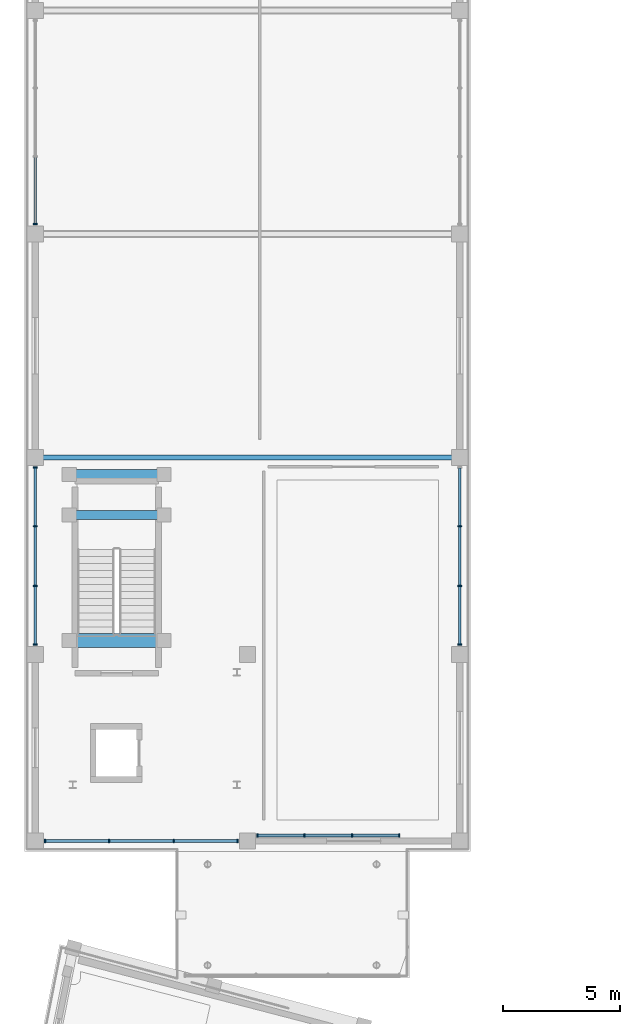
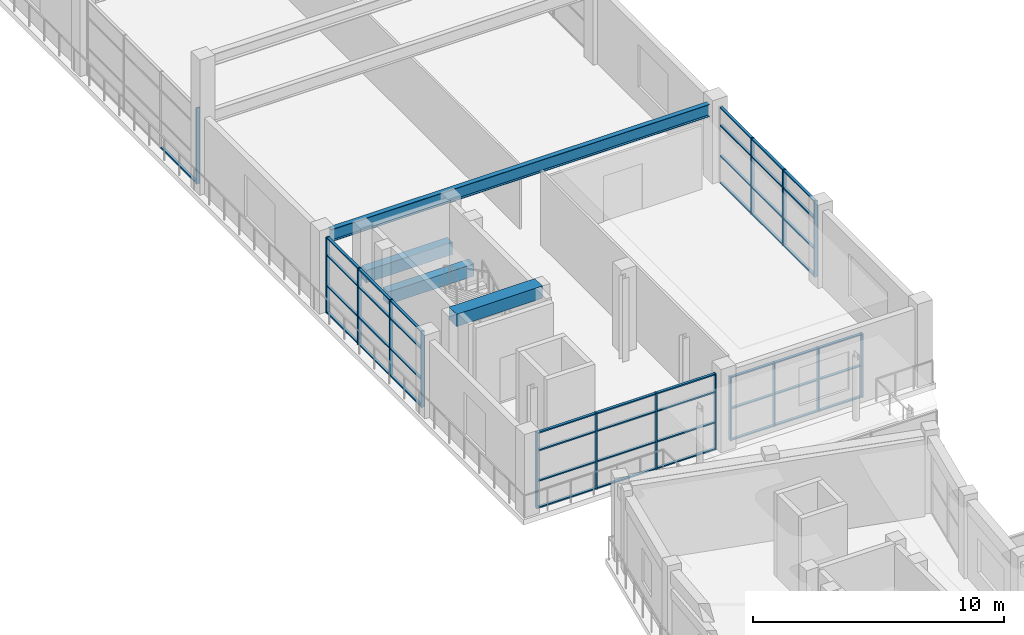
# One storey, part 29 of 72: 62 members, 4 beams, 5 elements without a shape of their own.
"""IFC4 building model written with IfcOpenShell, lengths in metres."""

import ifcopenshell
import ifcopenshell.guid

model = None  # the IFC model being written
_history = None  # IfcOwnerHistory: only IFC2X3 demands one
_inside = {}  # id of a spatial element -> (the spatial element, [elements in it])
_under = {}  # id of a project, library or spatial element -> (it, [spatial elements below it])
_declared = {}  # id of a project -> (the project, [libraries it declares])
_typed = {}  # id of a type object -> (the type object, [elements of that type])
_made_of = {}  # id of a material, layer set ... -> (it, [elements and type objects made of it])


def new_model(schema):
    """Start an empty IFC model of exactly this schema.

    Asked for "IFC4X3", IfcOpenShell would pick the latest addendum, in which some entities
    have other attributes; the version numbers below select the first issue.
    IFC2X3 requires an IfcOwnerHistory on every rooted entity: one is made here for all.
    """
    global model, _history
    if schema == "IFC4X3":
        model = ifcopenshell.file(schema_version=(4, 3, 0, 0))
    else:
        model = ifcopenshell.file(schema=schema)
    _inside.clear()
    _under.clear()
    _declared.clear()
    _typed.clear()
    _made_of.clear()
    _history = None
    if model.schema == "IFC2X3":
        org = make("IfcOrganization", Name="unknown")
        user = make(
            "IfcPersonAndOrganization",
            ThePerson=make("IfcPerson", FamilyName="unknown"),
            TheOrganization=org,
        )
        app = make(
            "IfcApplication",
            ApplicationDeveloper=org,
            Version="unknown",
            ApplicationFullName="unknown",
            ApplicationIdentifier="unknown",
        )
        _history = make(
            "IfcOwnerHistory",
            OwningUser=user,
            OwningApplication=app,
            ChangeAction="ADDED",
            CreationDate=0,
        )
    return model


def make(cls, **values):
    """One entity of the class cls with the attributes given. An attribute that is None is left unset."""
    return model.create_entity(
        cls, **{name: value for name, value in values.items() if value is not None}
    )


def rooted(cls, **values):
    """An entity with a GlobalId (a new one), such as an element, a storey or a relation."""
    return make(cls, GlobalId=ifcopenshell.guid.new(), OwnerHistory=_history, **values)


def si_unit(unit_type, name, prefix=None):
    """IfcSIUnit, for example si_unit("LENGTHUNIT", "METRE", prefix="MILLI")."""
    return make("IfcSIUnit", UnitType=unit_type, Prefix=prefix, Name=name)


def assignment(units):
    """IfcUnitAssignment: the units of a project."""
    return None if units is None else make("IfcUnitAssignment", Units=units)


def point(xyz):
    """IfcCartesianPoint."""
    return None if xyz is None else make("IfcCartesianPoint", Coordinates=xyz)


def direction(xyz):
    """IfcDirection."""
    return None if xyz is None else make("IfcDirection", DirectionRatios=xyz)


def frame(location, z_axis=None, x_axis=None):
    """IfcAxis2Placement3D, a coordinate frame: its origin and axes. An axis left out is left unset."""
    return make(
        "IfcAxis2Placement3D",
        Location=point(location),
        Axis=direction(z_axis),
        RefDirection=direction(x_axis),
    )


def frame_2d(location, x_axis=None):
    """IfcAxis2Placement2D, a coordinate frame in the plane: its origin and x axis."""
    return make(
        "IfcAxis2Placement2D", Location=point(location), RefDirection=direction(x_axis)
    )


def origin():
    """The frame at (0, 0, 0) with its axes left unset."""
    return frame((0.0, 0.0, 0.0))


def origin_2d():
    """The frame at (0, 0) in the plane with its x axis left unset."""
    return frame_2d((0.0, 0.0))


def place(relative_to, where):
    """IfcLocalPlacement: puts the frame where relative to a parent placement (None: the world)."""
    return make(
        "IfcLocalPlacement", PlacementRelTo=relative_to, RelativePlacement=where
    )


def context(
    kind, dimensions, precision=None, world=None, true_north=None, identifier=None
):
    """IfcGeometricRepresentationContext, for example the 3D "Model" context."""
    return make(
        "IfcGeometricRepresentationContext",
        ContextIdentifier=identifier,
        ContextType=kind,
        CoordinateSpaceDimension=dimensions,
        Precision=precision,
        WorldCoordinateSystem=world,
        TrueNorth=true_north,
    )


def subcontext(parent, identifier, kind, view, scale=None):
    """IfcGeometricRepresentationSubContext, for example "Body" below "Model"."""
    return make(
        "IfcGeometricRepresentationSubContext",
        ContextIdentifier=identifier,
        ContextType=kind,
        ParentContext=parent,
        TargetScale=scale,
        TargetView=view,
    )


def project(units=None, contexts=None):
    """IfcProject with its units and contexts."""
    return rooted(
        "IfcProject",
        Name="project",
        RepresentationContexts=contexts,
        UnitsInContext=assignment(units),
    )


def spatial(cls, under=None, at=None, **own):
    """A site, building, storey or space (cls), placed at a placement, below another one or the project."""
    s = rooted(cls, ObjectPlacement=at, **own)
    if under is not None:
        _under.setdefault(under.id(), (under, []))[1].append(s)
    return s


def profile(cls, at=None, kind="AREA", **sizes):
    """A parametric profile (cls). Its sizes go by their IFC names, for example OverallWidth=200.0."""
    return make(cls, ProfileType=kind, Position=at, **sizes)


def rectangle(**sizes):
    """IfcRectangleProfileDef."""
    return profile("IfcRectangleProfileDef", **sizes)


def i_section(**sizes):
    """IfcIShapeProfileDef."""
    return profile("IfcIShapeProfileDef", **sizes)


def extrude(swept, where, along, depth):
    """IfcExtrudedAreaSolid: the profile swept, set in the frame where, extruded along a direction by depth."""
    return make(
        "IfcExtrudedAreaSolid",
        SweptArea=swept,
        Position=where,
        ExtrudedDirection=direction(along),
        Depth=depth,
    )


def shape(context_of_items, identifier, shape_type, items):
    """IfcShapeRepresentation: the items that make up one representation, for example the "Body"."""
    return make(
        "IfcShapeRepresentation",
        ContextOfItems=context_of_items,
        RepresentationIdentifier=identifier,
        RepresentationType=shape_type,
        Items=items,
    )


def material(Name=None, Category=None):
    """IfcMaterial."""
    return make("IfcMaterial", Name=Name, Category=Category)


def material_profile(
    of_material, cross_section, Name=None, Category=None, Priority=None
):
    """IfcMaterialProfile: a cross section and its material."""
    return make(
        "IfcMaterialProfile",
        Name=Name,
        Material=of_material,
        Profile=cross_section,
        Priority=Priority,
        Category=Category,
    )


def profile_set(profiles, Name=None, composite=None):
    """IfcMaterialProfileSet."""
    return make(
        "IfcMaterialProfileSet",
        Name=Name,
        MaterialProfiles=profiles,
        CompositeProfile=composite,
    )


def made_of(thing, what):
    """Note that an element or type object is made of a material, layer set ...; save() writes the relation."""
    if what is not None:
        _made_of.setdefault(what.id(), (what, []))[1].append(thing)
    return thing


def type_object(cls, material=None, **own):
    """A type object (cls), such as IfcWallType, which elements share."""
    return made_of(rooted(cls, **own), material)


def element(
    cls,
    number,
    at=None,
    inside=None,
    cuts=None,
    type_object=None,
    material=None,
    context=None,
    identifier="Body",
    shape_type=None,
    held_by="IfcProductDefinitionShape",
    body=None,
    shapes=None,
    **own,
):
    """One element of the class cls, such as IfcWall. Its Tag is "e" and its number.

    at: its placement. inside: the storey or other place that contains it. cuts: it is an
    opening in that element (IfcRelVoidsElement). A single representation is given by context,
    identifier, shape_type and body (its items); several are given by shapes. held_by: the class
    of the entity that holds the representations. save() writes the other relations.
    """
    e = rooted(cls, Tag="e%d" % number, ObjectPlacement=at, **own)
    if body is not None:
        shapes = [shape(context, identifier, shape_type, body)]
    if shapes is not None:
        e.Representation = make(held_by, Representations=shapes)
    if inside is not None:
        _inside.setdefault(inside.id(), (inside, []))[1].append(e)
    if cuts is not None:
        rooted(
            "IfcRelVoidsElement", RelatingBuildingElement=cuts, RelatedOpeningElement=e
        )
    if type_object is not None:
        _typed.setdefault(type_object.id(), (type_object, []))[1].append(e)
    return made_of(e, material)


def aggregate(whole, parts):
    """IfcRelAggregates: a whole, such as a stair, and the parts it consists of."""
    return rooted("IfcRelAggregates", RelatingObject=whole, RelatedObjects=parts)


def save(model, path):
    """Write the relations noted so far, then the file.

    IfcRelAggregates (storeys below a building ...), IfcRelContainedInSpatialStructure (elements
    in a storey), IfcRelDefinesByType, IfcRelAssociatesMaterial and IfcRelDeclares: one each for
    every whole, place, type object, material and project.
    """
    for whole, parts in _under.values():
        aggregate(whole, parts)
    for where, things in _inside.values():
        rooted(
            "IfcRelContainedInSpatialStructure",
            RelatedElements=things,
            RelatingStructure=where,
        )
    for kind, things in _typed.values():
        rooted("IfcRelDefinesByType", RelatedObjects=things, RelatingType=kind)
    for what, things in _made_of.values():
        rooted("IfcRelAssociatesMaterial", RelatedObjects=things, RelatingMaterial=what)
    for by, libraries in _declared.values():
        rooted("IfcRelDeclares", RelatingContext=by, RelatedDefinitions=libraries)
    model.write(path)


model = new_model("IFC4")

# Units and contexts
model_context = context("Model", 3, precision=1e-05, world=origin(), true_north=direction((0.0, 1.0)))
body_context = subcontext(model_context, "Body", "Model", "MODEL_VIEW")
ifc_project = project(units=[si_unit("LENGTHUNIT", "METRE"), si_unit("AREAUNIT", "SQUARE_METRE"), si_unit("VOLUMEUNIT", "CUBIC_METRE"), si_unit("PLANEANGLEUNIT", "RADIAN"), si_unit("MASSUNIT", "GRAM", prefix="KILO")], contexts=[model_context])

# Site, building, storey
site_placement = place(None, origin())
site = spatial("IfcSite", under=ifc_project, at=site_placement, CompositionType="ELEMENT")
building_placement = place(site_placement, origin())
building = spatial("IfcBuilding", under=site, at=building_placement, Name="Saryqyr Civic Hall", CompositionType="ELEMENT")
storey_placement = place(building_placement, frame((0.0, 0.0, 17.25)))
storey = spatial("IfcBuildingStorey", under=building, at=storey_placement, Name="L04", CompositionType="ELEMENT", Elevation=17.25)

# Curtain wall, members
ifc_material_1 = material(Name="Anodised aluminium and triple low-E glass", Category="aluminium")
curtain_wall_type_1 = type_object("IfcCurtainWallType", Name="ENV-CW-STD-54", PredefinedType="NOTDEFINED", material=ifc_material_1)
curtain_wall_1_placement = place(storey_placement, origin())
curtain_wall_1 = element("IfcCurtainWall", 1, at=curtain_wall_1_placement, inside=storey, type_object=curtain_wall_type_1, Name="Curtain wall V3-CW-L04-0-1", PredefinedType="NOTDEFINED")
ifc_material_2 = material(Name="Anodised aluminium", Category="aluminium")
ifc_material_profile_1 = material_profile(ifc_material_2, rectangle(XDim=0.06005859375, YDim=0.159912109375, at=origin_2d()), Name="ALU MULLION 60x160")
ifc_profile_set_1 = profile_set([ifc_material_profile_1], Name="Anodised aluminium")
member_type_1 = type_object("IfcMemberType", Name="ENV-CW-MUL-180", PredefinedType="MULLION", material=ifc_profile_set_1)
member_1_placement = place(storey_placement, frame((16.679931640625, 101.25, 0.0), z_axis=(0.0, 0.0, 1.0), x_axis=(-1.0, 0.0, 0.0)))
member_1 = element("IfcMember", 2, at=member_1_placement, type_object=member_type_1, Name="CW-54 mullion 1", PredefinedType="MULLION", context=body_context, shape_type="SweptSolid", body=[
    extrude(rectangle(XDim=0.06005859375, YDim=0.159912109375, at=origin_2d()), origin(), (0.0, 0.0, 1.0), 3.699951171875),
])
member_2_placement = place(storey_placement, frame((13.953369140625, 101.25, 0.0), z_axis=(0.0, 0.0, 1.0), x_axis=(-1.0, 0.0, 0.0)))
member_2 = element("IfcMember", 3, at=member_2_placement, type_object=member_type_1, Name="CW-54 mullion 2", PredefinedType="MULLION", context=body_context, shape_type="SweptSolid", body=[
    extrude(rectangle(XDim=0.06005859375, YDim=0.159912109375, at=origin_2d()), origin(), (0.0, 0.0, 1.0), 3.699951171875),
])
member_3_placement = place(storey_placement, frame((11.19677734375, 101.25, 0.0), z_axis=(0.0, 0.0, 1.0), x_axis=(-1.0, 0.0, 0.0)))
member_3 = element("IfcMember", 4, at=member_3_placement, type_object=member_type_1, Name="CW-54 mullion 3", PredefinedType="MULLION", context=body_context, shape_type="SweptSolid", body=[
    extrude(rectangle(XDim=0.06005859375, YDim=0.159912109375, at=origin_2d()), origin(), (0.0, 0.0, 1.0), 3.699951171875),
])
member_4_placement = place(storey_placement, frame((8.469970703125, 101.25, 0.0), z_axis=(0.0, 0.0, 1.0), x_axis=(-1.0, 0.0, 0.0)))
member_4 = element("IfcMember", 5, at=member_4_placement, type_object=member_type_1, Name="CW-54 mullion 4", PredefinedType="MULLION", context=body_context, shape_type="SweptSolid", body=[
    extrude(rectangle(XDim=0.06005859375, YDim=0.159912109375, at=origin_2d()), origin(), (0.0, 0.0, 1.0), 3.699951171875),
])

curtain_wall_type_2 = type_object("IfcCurtainWallType", Name="ENV-CW-STD-56", PredefinedType="NOTDEFINED", material=ifc_material_1)
curtain_wall_2_placement = place(storey_placement, origin())
curtain_wall_2 = element("IfcCurtainWall", 6, at=curtain_wall_2_placement, inside=storey, type_object=curtain_wall_type_2, Name="Curtain wall V3-CW-L04-1-5", PredefinedType="NOTDEFINED")
member_5_placement = place(storey_placement, frame((26.14990234375, 114.669921875, 0.0), z_axis=(0.0, 0.0, 1.0), x_axis=(0.0, -1.0, 0.0)))
member_5 = element("IfcMember", 7, at=member_5_placement, type_object=member_type_1, Name="CW-56 mullion 2", PredefinedType="MULLION", context=body_context, shape_type="SweptSolid", body=[
    extrude(rectangle(XDim=0.06005859375, YDim=0.159912109375, at=origin_2d()), origin(), (0.0, 0.0, 1.0), 3.699951171875),
])
member_6_placement = place(storey_placement, frame((26.14990234375, 112.1298828125, 0.0), z_axis=(0.0, 0.0, 1.0), x_axis=(0.0, -1.0, 0.0)))
member_6 = element("IfcMember", 8, at=member_6_placement, type_object=member_type_1, Name="CW-56 mullion 3", PredefinedType="MULLION", context=body_context, shape_type="SweptSolid", body=[
    extrude(rectangle(XDim=0.06005859375, YDim=0.159912109375, at=origin_2d()), origin(), (0.0, 0.0, 1.0), 3.699951171875),
])
member_7_placement = place(storey_placement, frame((26.14990234375, 109.6201171875, 0.0), z_axis=(0.0, 0.0, 1.0), x_axis=(0.0, -1.0, 0.0)))
member_7 = element("IfcMember", 9, at=member_7_placement, type_object=member_type_1, Name="CW-56 mullion 4", PredefinedType="MULLION", context=body_context, shape_type="SweptSolid", body=[
    extrude(rectangle(XDim=0.06005859375, YDim=0.159912109375, at=origin_2d()), origin(), (0.0, 0.0, 1.0), 3.699951171875),
])

curtain_wall_3_placement = place(storey_placement, origin())
curtain_wall_3 = element("IfcCurtainWall", 10, at=curtain_wall_3_placement, inside=storey, type_object=curtain_wall_type_2, Name="Curtain wall V3-CW-L04-3-1", PredefinedType="NOTDEFINED")
member_8_placement = place(storey_placement, frame((8.050048828125, 109.6201171875, 0.0), z_axis=(0.0, 0.0, 1.0), x_axis=(0.0, 1.0, 0.0)))
member_8 = element("IfcMember", 11, at=member_8_placement, type_object=member_type_1, Name="CW-56 mullion 1", PredefinedType="MULLION", context=body_context, shape_type="SweptSolid", body=[
    extrude(rectangle(XDim=0.06005859375, YDim=0.159912109375, at=origin_2d()), origin(), (0.0, 0.0, 1.0), 3.699951171875),
])
member_9_placement = place(storey_placement, frame((8.050048828125, 112.1298828125, 0.0), z_axis=(0.0, 0.0, 1.0), x_axis=(0.0, 1.0, 0.0)))
member_9 = element("IfcMember", 12, at=member_9_placement, type_object=member_type_1, Name="CW-56 mullion 2", PredefinedType="MULLION", context=body_context, shape_type="SweptSolid", body=[
    extrude(rectangle(XDim=0.06005859375, YDim=0.159912109375, at=origin_2d()), origin(), (0.0, 0.0, 1.0), 3.699951171875),
])
member_10_placement = place(storey_placement, frame((8.050048828125, 114.669921875, 0.0), z_axis=(0.0, 0.0, 1.0), x_axis=(0.0, 1.0, 0.0)))
member_10 = element("IfcMember", 13, at=member_10_placement, type_object=member_type_1, Name="CW-56 mullion 3", PredefinedType="MULLION", context=body_context, shape_type="SweptSolid", body=[
    extrude(rectangle(XDim=0.06005859375, YDim=0.159912109375, at=origin_2d()), origin(), (0.0, 0.0, 1.0), 3.699951171875),
])
member_11_placement = place(storey_placement, frame((8.050048828125, 117.179931640625, 0.0), z_axis=(0.0, 0.0, 1.0), x_axis=(0.0, 1.0, 0.0)))
member_11 = element("IfcMember", 14, at=member_11_placement, type_object=member_type_1, Name="CW-56 mullion 4", PredefinedType="MULLION", context=body_context, shape_type="SweptSolid", body=[
    extrude(rectangle(XDim=0.06005859375, YDim=0.159912109375, at=origin_2d()), origin(), (0.0, 0.0, 1.0), 3.699951171875),
])

# Curtain wall, member
curtain_wall_type_3 = type_object("IfcCurtainWallType", Name="ENV-CW-STD-55", PredefinedType="NOTDEFINED", material=ifc_material_1)
curtain_wall_4_placement = place(storey_placement, origin())
curtain_wall_4 = element("IfcCurtainWall", 15, at=curtain_wall_4_placement, inside=storey, type_object=curtain_wall_type_3, Name="Curtain wall V3-CW-L04-3-3", PredefinedType="NOTDEFINED")
member_12_placement = place(storey_placement, frame((8.050048828125, 127.550048828125, 0.0), z_axis=(0.0, 0.0, 1.0), x_axis=(0.0, 1.0, 0.0)))
member_12 = element("IfcMember", 16, at=member_12_placement, type_object=member_type_1, Name="CW-55 mullion 1", PredefinedType="MULLION", context=body_context, shape_type="SweptSolid", body=[
    extrude(rectangle(XDim=0.06005859375, YDim=0.159912109375, at=origin_2d()), origin(), (0.0, 0.0, 1.0), 3.699951171875),
])

# Curtain wall, members
curtain_wall_type_4 = type_object("IfcCurtainWallType", Name="ENV-CW-STD-83", PredefinedType="NOTDEFINED", material=ifc_material_1)
curtain_wall_5_placement = place(storey_placement, origin())
curtain_wall_5 = element("IfcCurtainWall", 17, at=curtain_wall_5_placement, inside=storey, type_object=curtain_wall_type_4, Name="Curtain wall BR-NW-CW2-L04", PredefinedType="NOTDEFINED")
member_13_placement = place(storey_placement, frame((17.52001953125, 101.47998046875, 0.0), z_axis=(0.0, 0.0, 1.0), x_axis=(1.0, 0.0, 0.0)))
member_13 = element("IfcMember", 18, at=member_13_placement, type_object=member_type_1, Name="CW-83 mullion 1", PredefinedType="MULLION", context=body_context, shape_type="SweptSolid", body=[
    extrude(rectangle(XDim=0.06005859375, YDim=0.159912109375, at=origin_2d()), origin(), (0.0, 0.0, 1.0), 3.10009765625),
])
member_14_placement = place(storey_placement, frame((19.526611328125, 101.47998046875, 0.0), z_axis=(0.0, 0.0, 1.0), x_axis=(1.0, 0.0, 0.0)))
member_14 = element("IfcMember", 19, at=member_14_placement, type_object=member_type_1, Name="CW-83 mullion 2", PredefinedType="MULLION", context=body_context, shape_type="SweptSolid", body=[
    extrude(rectangle(XDim=0.06005859375, YDim=0.159912109375, at=origin_2d()), origin(), (0.0, 0.0, 1.0), 3.10009765625),
])
member_15_placement = place(storey_placement, frame((21.563232421875, 101.47998046875, 0.0), z_axis=(0.0, 0.0, 1.0), x_axis=(1.0, 0.0, 0.0)))
member_15 = element("IfcMember", 20, at=member_15_placement, type_object=member_type_1, Name="CW-83 mullion 3", PredefinedType="MULLION", context=body_context, shape_type="SweptSolid", body=[
    extrude(rectangle(XDim=0.06005859375, YDim=0.159912109375, at=origin_2d()), origin(), (0.0, 0.0, 1.0), 3.10009765625),
])
member_16_placement = place(storey_placement, frame((23.570068359375, 101.47998046875, 0.0), z_axis=(0.0, 0.0, 1.0), x_axis=(1.0, 0.0, 0.0)))
member_16 = element("IfcMember", 21, at=member_16_placement, type_object=member_type_1, Name="CW-83 mullion 4", PredefinedType="MULLION", context=body_context, shape_type="SweptSolid", body=[
    extrude(rectangle(XDim=0.06005859375, YDim=0.159912109375, at=origin_2d()), origin(), (0.0, 0.0, 1.0), 3.10009765625),
])

# Member
ifc_material_profile_2 = material_profile(ifc_material_2, rectangle(XDim=0.1201171875, YDim=0.06005859375, at=origin_2d()), Name="ALU TRANSOM 120x60")
ifc_profile_set_2 = profile_set([ifc_material_profile_2], Name="Anodised aluminium")
member_type_2 = type_object("IfcMemberType", Name="ENV-CW-TRN-150", PredefinedType="USERDEFINED", material=ifc_profile_set_2)
member_17_placement = place(storey_placement, frame((16.64990234375, 101.25, 0.030029296875), z_axis=(-1.0, 0.0, 0.0), x_axis=(0.0, -1.0, 0.0)))
member_17 = element("IfcMember", 22, at=member_17_placement, type_object=member_type_2, Name="CW-54 transom 1.1", ObjectType="TRANSOM", PredefinedType="USERDEFINED", context=body_context, shape_type="SweptSolid", body=[
    extrude(rectangle(XDim=0.1201171875, YDim=0.06005859375, at=origin_2d()), origin(), (0.0, 0.0, 1.0), 2.66650390625),
])

member_18_placement = place(storey_placement, frame((16.64990234375, 101.25, 1.33203125), z_axis=(-1.0, 0.0, 0.0), x_axis=(0.0, -1.0, 0.0)))
member_18 = element("IfcMember", 23, at=member_18_placement, type_object=member_type_2, Name="CW-54 transom 1.2", ObjectType="TRANSOM", PredefinedType="USERDEFINED", context=body_context, shape_type="SweptSolid", body=[
    extrude(rectangle(XDim=0.1201171875, YDim=0.06005859375, at=origin_2d()), origin(), (0.0, 0.0, 1.0), 2.66650390625),
])

member_19_placement = place(storey_placement, frame((16.64990234375, 101.25, 2.81201171875), z_axis=(-1.0, 0.0, 0.0), x_axis=(0.0, -1.0, 0.0)))
member_19 = element("IfcMember", 24, at=member_19_placement, type_object=member_type_2, Name="CW-54 transom 1.3", ObjectType="TRANSOM", PredefinedType="USERDEFINED", context=body_context, shape_type="SweptSolid", body=[
    extrude(rectangle(XDim=0.1201171875, YDim=0.06005859375, at=origin_2d()), origin(), (0.0, 0.0, 1.0), 2.66650390625),
])

member_20_placement = place(storey_placement, frame((16.64990234375, 101.25, 3.669921875), z_axis=(-1.0, 0.0, 0.0), x_axis=(0.0, -1.0, 0.0)))
member_20 = element("IfcMember", 25, at=member_20_placement, type_object=member_type_2, Name="CW-54 transom 1.4", ObjectType="TRANSOM", PredefinedType="USERDEFINED", context=body_context, shape_type="SweptSolid", body=[
    extrude(rectangle(XDim=0.1201171875, YDim=0.06005859375, at=origin_2d()), origin(), (0.0, 0.0, 1.0), 2.66650390625),
])

member_21_placement = place(storey_placement, frame((13.92333984375, 101.25, 0.030029296875), z_axis=(-1.0, 0.0, 0.0), x_axis=(0.0, -1.0, 0.0)))
member_21 = element("IfcMember", 26, at=member_21_placement, type_object=member_type_2, Name="CW-54 transom 2.1", ObjectType="TRANSOM", PredefinedType="USERDEFINED", context=body_context, shape_type="SweptSolid", body=[
    extrude(rectangle(XDim=0.1201171875, YDim=0.06005859375, at=origin_2d()), origin(), (0.0, 0.0, 1.0), 2.69677734375),
])

member_22_placement = place(storey_placement, frame((13.92333984375, 101.25, 1.33203125), z_axis=(-1.0, 0.0, 0.0), x_axis=(0.0, -1.0, 0.0)))
member_22 = element("IfcMember", 27, at=member_22_placement, type_object=member_type_2, Name="CW-54 transom 2.2", ObjectType="TRANSOM", PredefinedType="USERDEFINED", context=body_context, shape_type="SweptSolid", body=[
    extrude(rectangle(XDim=0.1201171875, YDim=0.06005859375, at=origin_2d()), origin(), (0.0, 0.0, 1.0), 2.69677734375),
])

member_23_placement = place(storey_placement, frame((13.92333984375, 101.25, 2.81201171875), z_axis=(-1.0, 0.0, 0.0), x_axis=(0.0, -1.0, 0.0)))
member_23 = element("IfcMember", 28, at=member_23_placement, type_object=member_type_2, Name="CW-54 transom 2.3", ObjectType="TRANSOM", PredefinedType="USERDEFINED", context=body_context, shape_type="SweptSolid", body=[
    extrude(rectangle(XDim=0.1201171875, YDim=0.06005859375, at=origin_2d()), origin(), (0.0, 0.0, 1.0), 2.69677734375),
])

member_24_placement = place(storey_placement, frame((13.92333984375, 101.25, 3.669921875), z_axis=(-1.0, 0.0, 0.0), x_axis=(0.0, -1.0, 0.0)))
member_24 = element("IfcMember", 29, at=member_24_placement, type_object=member_type_2, Name="CW-54 transom 2.4", ObjectType="TRANSOM", PredefinedType="USERDEFINED", context=body_context, shape_type="SweptSolid", body=[
    extrude(rectangle(XDim=0.1201171875, YDim=0.06005859375, at=origin_2d()), origin(), (0.0, 0.0, 1.0), 2.69677734375),
])

member_25_placement = place(storey_placement, frame((11.166748046875, 101.25, 0.030029296875), z_axis=(-1.0, 0.0, 0.0), x_axis=(0.0, -1.0, 0.0)))
member_25 = element("IfcMember", 30, at=member_25_placement, type_object=member_type_2, Name="CW-54 transom 3.1", ObjectType="TRANSOM", PredefinedType="USERDEFINED", context=body_context, shape_type="SweptSolid", body=[
    extrude(rectangle(XDim=0.1201171875, YDim=0.06005859375, at=origin_2d()), origin(), (0.0, 0.0, 1.0), 2.666748046875),
])

member_26_placement = place(storey_placement, frame((11.166748046875, 101.25, 1.33203125), z_axis=(-1.0, 0.0, 0.0), x_axis=(0.0, -1.0, 0.0)))
member_26 = element("IfcMember", 31, at=member_26_placement, type_object=member_type_2, Name="CW-54 transom 3.2", ObjectType="TRANSOM", PredefinedType="USERDEFINED", context=body_context, shape_type="SweptSolid", body=[
    extrude(rectangle(XDim=0.1201171875, YDim=0.06005859375, at=origin_2d()), origin(), (0.0, 0.0, 1.0), 2.666748046875),
])

member_27_placement = place(storey_placement, frame((11.166748046875, 101.25, 2.81201171875), z_axis=(-1.0, 0.0, 0.0), x_axis=(0.0, -1.0, 0.0)))
member_27 = element("IfcMember", 32, at=member_27_placement, type_object=member_type_2, Name="CW-54 transom 3.3", ObjectType="TRANSOM", PredefinedType="USERDEFINED", context=body_context, shape_type="SweptSolid", body=[
    extrude(rectangle(XDim=0.1201171875, YDim=0.06005859375, at=origin_2d()), origin(), (0.0, 0.0, 1.0), 2.666748046875),
])

member_28_placement = place(storey_placement, frame((11.166748046875, 101.25, 3.669921875), z_axis=(-1.0, 0.0, 0.0), x_axis=(0.0, -1.0, 0.0)))
member_28 = element("IfcMember", 33, at=member_28_placement, type_object=member_type_2, Name="CW-54 transom 3.4", ObjectType="TRANSOM", PredefinedType="USERDEFINED", context=body_context, shape_type="SweptSolid", body=[
    extrude(rectangle(XDim=0.1201171875, YDim=0.06005859375, at=origin_2d()), origin(), (0.0, 0.0, 1.0), 2.666748046875),
])

aggregate(curtain_wall_1, [member_1, member_2, member_3, member_4, member_17, member_18, member_19, member_20, member_21, member_22, member_23, member_24, member_25, member_26, member_27, member_28])

member_29_placement = place(storey_placement, frame((26.14990234375, 117.14990234375, 0.030029296875), z_axis=(0.0, -1.0, 0.0), x_axis=(1.0, 0.0, 0.0)))
member_29 = element("IfcMember", 34, at=member_29_placement, type_object=member_type_2, Name="CW-56 transom 1.1", ObjectType="TRANSOM", PredefinedType="USERDEFINED", context=body_context, shape_type="SweptSolid", body=[
    extrude(rectangle(XDim=0.1201171875, YDim=0.06005859375, at=origin_2d()), origin(), (0.0, 0.0, 1.0), 2.449951171875),
])

member_30_placement = place(storey_placement, frame((26.14990234375, 117.14990234375, 1.33203125), z_axis=(0.0, -1.0, 0.0), x_axis=(1.0, 0.0, 0.0)))
member_30 = element("IfcMember", 35, at=member_30_placement, type_object=member_type_2, Name="CW-56 transom 1.2", ObjectType="TRANSOM", PredefinedType="USERDEFINED", context=body_context, shape_type="SweptSolid", body=[
    extrude(rectangle(XDim=0.1201171875, YDim=0.06005859375, at=origin_2d()), origin(), (0.0, 0.0, 1.0), 2.449951171875),
])

member_31_placement = place(storey_placement, frame((26.14990234375, 117.14990234375, 2.81201171875), z_axis=(0.0, -1.0, 0.0), x_axis=(1.0, 0.0, 0.0)))
member_31 = element("IfcMember", 36, at=member_31_placement, type_object=member_type_2, Name="CW-56 transom 1.3", ObjectType="TRANSOM", PredefinedType="USERDEFINED", context=body_context, shape_type="SweptSolid", body=[
    extrude(rectangle(XDim=0.1201171875, YDim=0.06005859375, at=origin_2d()), origin(), (0.0, 0.0, 1.0), 2.449951171875),
])

member_32_placement = place(storey_placement, frame((26.14990234375, 117.14990234375, 3.669921875), z_axis=(0.0, -1.0, 0.0), x_axis=(1.0, 0.0, 0.0)))
member_32 = element("IfcMember", 37, at=member_32_placement, type_object=member_type_2, Name="CW-56 transom 1.4", ObjectType="TRANSOM", PredefinedType="USERDEFINED", context=body_context, shape_type="SweptSolid", body=[
    extrude(rectangle(XDim=0.1201171875, YDim=0.06005859375, at=origin_2d()), origin(), (0.0, 0.0, 1.0), 2.449951171875),
])

member_33_placement = place(storey_placement, frame((26.14990234375, 114.639892578125, 0.030029296875), z_axis=(0.0, -1.0, 0.0), x_axis=(1.0, 0.0, 0.0)))
member_33 = element("IfcMember", 38, at=member_33_placement, type_object=member_type_2, Name="CW-56 transom 2.1", ObjectType="TRANSOM", PredefinedType="USERDEFINED", context=body_context, shape_type="SweptSolid", body=[
    extrude(rectangle(XDim=0.1201171875, YDim=0.06005859375, at=origin_2d()), origin(), (0.0, 0.0, 1.0), 2.47998046875),
])

member_34_placement = place(storey_placement, frame((26.14990234375, 114.639892578125, 1.33203125), z_axis=(0.0, -1.0, 0.0), x_axis=(1.0, 0.0, 0.0)))
member_34 = element("IfcMember", 39, at=member_34_placement, type_object=member_type_2, Name="CW-56 transom 2.2", ObjectType="TRANSOM", PredefinedType="USERDEFINED", context=body_context, shape_type="SweptSolid", body=[
    extrude(rectangle(XDim=0.1201171875, YDim=0.06005859375, at=origin_2d()), origin(), (0.0, 0.0, 1.0), 2.47998046875),
])

member_35_placement = place(storey_placement, frame((26.14990234375, 114.639892578125, 2.81201171875), z_axis=(0.0, -1.0, 0.0), x_axis=(1.0, 0.0, 0.0)))
member_35 = element("IfcMember", 40, at=member_35_placement, type_object=member_type_2, Name="CW-56 transom 2.3", ObjectType="TRANSOM", PredefinedType="USERDEFINED", context=body_context, shape_type="SweptSolid", body=[
    extrude(rectangle(XDim=0.1201171875, YDim=0.06005859375, at=origin_2d()), origin(), (0.0, 0.0, 1.0), 2.47998046875),
])

member_36_placement = place(storey_placement, frame((26.14990234375, 114.639892578125, 3.669921875), z_axis=(0.0, -1.0, 0.0), x_axis=(1.0, 0.0, 0.0)))
member_36 = element("IfcMember", 41, at=member_36_placement, type_object=member_type_2, Name="CW-56 transom 2.4", ObjectType="TRANSOM", PredefinedType="USERDEFINED", context=body_context, shape_type="SweptSolid", body=[
    extrude(rectangle(XDim=0.1201171875, YDim=0.06005859375, at=origin_2d()), origin(), (0.0, 0.0, 1.0), 2.47998046875),
])

member_37_placement = place(storey_placement, frame((26.14990234375, 112.10009765625, 0.030029296875), z_axis=(0.0, -1.0, 0.0), x_axis=(1.0, 0.0, 0.0)))
member_37 = element("IfcMember", 42, at=member_37_placement, type_object=member_type_2, Name="CW-56 transom 3.1", ObjectType="TRANSOM", PredefinedType="USERDEFINED", context=body_context, shape_type="SweptSolid", body=[
    extrude(rectangle(XDim=0.1201171875, YDim=0.06005859375, at=origin_2d()), origin(), (0.0, 0.0, 1.0), 2.4501953125),
])

member_38_placement = place(storey_placement, frame((26.14990234375, 112.10009765625, 1.33203125), z_axis=(0.0, -1.0, 0.0), x_axis=(1.0, 0.0, 0.0)))
member_38 = element("IfcMember", 43, at=member_38_placement, type_object=member_type_2, Name="CW-56 transom 3.2", ObjectType="TRANSOM", PredefinedType="USERDEFINED", context=body_context, shape_type="SweptSolid", body=[
    extrude(rectangle(XDim=0.1201171875, YDim=0.06005859375, at=origin_2d()), origin(), (0.0, 0.0, 1.0), 2.4501953125),
])

member_39_placement = place(storey_placement, frame((26.14990234375, 112.10009765625, 2.81201171875), z_axis=(0.0, -1.0, 0.0), x_axis=(1.0, 0.0, 0.0)))
member_39 = element("IfcMember", 44, at=member_39_placement, type_object=member_type_2, Name="CW-56 transom 3.3", ObjectType="TRANSOM", PredefinedType="USERDEFINED", context=body_context, shape_type="SweptSolid", body=[
    extrude(rectangle(XDim=0.1201171875, YDim=0.06005859375, at=origin_2d()), origin(), (0.0, 0.0, 1.0), 2.4501953125),
])

member_40_placement = place(storey_placement, frame((26.14990234375, 112.10009765625, 3.669921875), z_axis=(0.0, -1.0, 0.0), x_axis=(1.0, 0.0, 0.0)))
member_40 = element("IfcMember", 45, at=member_40_placement, type_object=member_type_2, Name="CW-56 transom 3.4", ObjectType="TRANSOM", PredefinedType="USERDEFINED", context=body_context, shape_type="SweptSolid", body=[
    extrude(rectangle(XDim=0.1201171875, YDim=0.06005859375, at=origin_2d()), origin(), (0.0, 0.0, 1.0), 2.4501953125),
])

aggregate(curtain_wall_2, [member_5, member_6, member_7, member_29, member_30, member_31, member_32, member_33, member_34, member_35, member_36, member_37, member_38, member_39, member_40])

member_41_placement = place(storey_placement, frame((8.050048828125, 109.64990234375, 0.030029296875), z_axis=(0.0, 1.0, 0.0), x_axis=(-1.0, 0.0, 0.0)))
member_41 = element("IfcMember", 46, at=member_41_placement, type_object=member_type_2, Name="CW-56 transom 1.1", ObjectType="TRANSOM", PredefinedType="USERDEFINED", context=body_context, shape_type="SweptSolid", body=[
    extrude(rectangle(XDim=0.1201171875, YDim=0.06005859375, at=origin_2d()), origin(), (0.0, 0.0, 1.0), 2.4501953125),
])

member_42_placement = place(storey_placement, frame((8.050048828125, 109.64990234375, 1.33203125), z_axis=(0.0, 1.0, 0.0), x_axis=(-1.0, 0.0, 0.0)))
member_42 = element("IfcMember", 47, at=member_42_placement, type_object=member_type_2, Name="CW-56 transom 1.2", ObjectType="TRANSOM", PredefinedType="USERDEFINED", context=body_context, shape_type="SweptSolid", body=[
    extrude(rectangle(XDim=0.1201171875, YDim=0.06005859375, at=origin_2d()), origin(), (0.0, 0.0, 1.0), 2.4501953125),
])

member_43_placement = place(storey_placement, frame((8.050048828125, 109.64990234375, 2.81201171875), z_axis=(0.0, 1.0, 0.0), x_axis=(-1.0, 0.0, 0.0)))
member_43 = element("IfcMember", 48, at=member_43_placement, type_object=member_type_2, Name="CW-56 transom 1.3", ObjectType="TRANSOM", PredefinedType="USERDEFINED", context=body_context, shape_type="SweptSolid", body=[
    extrude(rectangle(XDim=0.1201171875, YDim=0.06005859375, at=origin_2d()), origin(), (0.0, 0.0, 1.0), 2.4501953125),
])

member_44_placement = place(storey_placement, frame((8.050048828125, 109.64990234375, 3.669921875), z_axis=(0.0, 1.0, 0.0), x_axis=(-1.0, 0.0, 0.0)))
member_44 = element("IfcMember", 49, at=member_44_placement, type_object=member_type_2, Name="CW-56 transom 1.4", ObjectType="TRANSOM", PredefinedType="USERDEFINED", context=body_context, shape_type="SweptSolid", body=[
    extrude(rectangle(XDim=0.1201171875, YDim=0.06005859375, at=origin_2d()), origin(), (0.0, 0.0, 1.0), 2.4501953125),
])

member_45_placement = place(storey_placement, frame((8.050048828125, 112.159912109375, 0.030029296875), z_axis=(0.0, 1.0, 0.0), x_axis=(-1.0, 0.0, 0.0)))
member_45 = element("IfcMember", 50, at=member_45_placement, type_object=member_type_2, Name="CW-56 transom 2.1", ObjectType="TRANSOM", PredefinedType="USERDEFINED", context=body_context, shape_type="SweptSolid", body=[
    extrude(rectangle(XDim=0.1201171875, YDim=0.06005859375, at=origin_2d()), origin(), (0.0, 0.0, 1.0), 2.47998046875),
])

member_46_placement = place(storey_placement, frame((8.050048828125, 112.159912109375, 1.33203125), z_axis=(0.0, 1.0, 0.0), x_axis=(-1.0, 0.0, 0.0)))
member_46 = element("IfcMember", 51, at=member_46_placement, type_object=member_type_2, Name="CW-56 transom 2.2", ObjectType="TRANSOM", PredefinedType="USERDEFINED", context=body_context, shape_type="SweptSolid", body=[
    extrude(rectangle(XDim=0.1201171875, YDim=0.06005859375, at=origin_2d()), origin(), (0.0, 0.0, 1.0), 2.47998046875),
])

member_47_placement = place(storey_placement, frame((8.050048828125, 112.159912109375, 2.81201171875), z_axis=(0.0, 1.0, 0.0), x_axis=(-1.0, 0.0, 0.0)))
member_47 = element("IfcMember", 52, at=member_47_placement, type_object=member_type_2, Name="CW-56 transom 2.3", ObjectType="TRANSOM", PredefinedType="USERDEFINED", context=body_context, shape_type="SweptSolid", body=[
    extrude(rectangle(XDim=0.1201171875, YDim=0.06005859375, at=origin_2d()), origin(), (0.0, 0.0, 1.0), 2.47998046875),
])

member_48_placement = place(storey_placement, frame((8.050048828125, 112.159912109375, 3.669921875), z_axis=(0.0, 1.0, 0.0), x_axis=(-1.0, 0.0, 0.0)))
member_48 = element("IfcMember", 53, at=member_48_placement, type_object=member_type_2, Name="CW-56 transom 2.4", ObjectType="TRANSOM", PredefinedType="USERDEFINED", context=body_context, shape_type="SweptSolid", body=[
    extrude(rectangle(XDim=0.1201171875, YDim=0.06005859375, at=origin_2d()), origin(), (0.0, 0.0, 1.0), 2.47998046875),
])

member_49_placement = place(storey_placement, frame((8.050048828125, 114.699951171875, 0.030029296875), z_axis=(0.0, 1.0, 0.0), x_axis=(-1.0, 0.0, 0.0)))
member_49 = element("IfcMember", 54, at=member_49_placement, type_object=member_type_2, Name="CW-56 transom 3.1", ObjectType="TRANSOM", PredefinedType="USERDEFINED", context=body_context, shape_type="SweptSolid", body=[
    extrude(rectangle(XDim=0.1201171875, YDim=0.06005859375, at=origin_2d()), origin(), (0.0, 0.0, 1.0), 2.449951171875),
])

member_50_placement = place(storey_placement, frame((8.050048828125, 114.699951171875, 1.33203125), z_axis=(0.0, 1.0, 0.0), x_axis=(-1.0, 0.0, 0.0)))
member_50 = element("IfcMember", 55, at=member_50_placement, type_object=member_type_2, Name="CW-56 transom 3.2", ObjectType="TRANSOM", PredefinedType="USERDEFINED", context=body_context, shape_type="SweptSolid", body=[
    extrude(rectangle(XDim=0.1201171875, YDim=0.06005859375, at=origin_2d()), origin(), (0.0, 0.0, 1.0), 2.449951171875),
])

member_51_placement = place(storey_placement, frame((8.050048828125, 114.699951171875, 2.81201171875), z_axis=(0.0, 1.0, 0.0), x_axis=(-1.0, 0.0, 0.0)))
member_51 = element("IfcMember", 56, at=member_51_placement, type_object=member_type_2, Name="CW-56 transom 3.3", ObjectType="TRANSOM", PredefinedType="USERDEFINED", context=body_context, shape_type="SweptSolid", body=[
    extrude(rectangle(XDim=0.1201171875, YDim=0.06005859375, at=origin_2d()), origin(), (0.0, 0.0, 1.0), 2.449951171875),
])

member_52_placement = place(storey_placement, frame((8.050048828125, 114.699951171875, 3.669921875), z_axis=(0.0, 1.0, 0.0), x_axis=(-1.0, 0.0, 0.0)))
member_52 = element("IfcMember", 57, at=member_52_placement, type_object=member_type_2, Name="CW-56 transom 3.4", ObjectType="TRANSOM", PredefinedType="USERDEFINED", context=body_context, shape_type="SweptSolid", body=[
    extrude(rectangle(XDim=0.1201171875, YDim=0.06005859375, at=origin_2d()), origin(), (0.0, 0.0, 1.0), 2.449951171875),
])

aggregate(curtain_wall_3, [member_8, member_9, member_10, member_11, member_41, member_42, member_43, member_44, member_45, member_46, member_47, member_48, member_49, member_50, member_51, member_52])

member_53_placement = place(storey_placement, frame((8.050048828125, 127.580078125, 0.030029296875), z_axis=(0.0, 1.0, 0.0), x_axis=(-1.0, 0.0, 0.0)))
member_53 = element("IfcMember", 58, at=member_53_placement, type_object=member_type_2, Name="CW-55 transom 1.1", ObjectType="TRANSOM", PredefinedType="USERDEFINED", context=body_context, shape_type="SweptSolid", body=[
    extrude(rectangle(XDim=0.1201171875, YDim=0.06005859375, at=origin_2d()), origin(), (0.0, 0.0, 1.0), 2.82666015625),
])

aggregate(curtain_wall_4, [member_12, member_53])

member_54_placement = place(storey_placement, frame((17.550048828125, 101.47998046875, 0.030029296875), z_axis=(1.0, 0.0, 0.0), x_axis=(0.0, 1.0, 0.0)))
member_54 = element("IfcMember", 59, at=member_54_placement, type_object=member_type_2, Name="CW-83 transom 1.1", ObjectType="TRANSOM", PredefinedType="USERDEFINED", context=body_context, shape_type="SweptSolid", body=[
    extrude(rectangle(XDim=0.1201171875, YDim=0.06005859375, at=origin_2d()), origin(), (0.0, 0.0, 1.0), 1.946533203125),
])

member_55_placement = place(storey_placement, frame((17.550048828125, 101.47998046875, 1.550048828125), z_axis=(1.0, 0.0, 0.0), x_axis=(0.0, 1.0, 0.0)))
member_55 = element("IfcMember", 60, at=member_55_placement, type_object=member_type_2, Name="CW-83 transom 1.2", ObjectType="TRANSOM", PredefinedType="USERDEFINED", context=body_context, shape_type="SweptSolid", body=[
    extrude(rectangle(XDim=0.1201171875, YDim=0.06005859375, at=origin_2d()), origin(), (0.0, 0.0, 1.0), 1.946533203125),
])

member_56_placement = place(storey_placement, frame((17.550048828125, 101.47998046875, 3.070068359375), z_axis=(1.0, 0.0, 0.0), x_axis=(0.0, 1.0, 0.0)))
member_56 = element("IfcMember", 61, at=member_56_placement, type_object=member_type_2, Name="CW-83 transom 1.3", ObjectType="TRANSOM", PredefinedType="USERDEFINED", context=body_context, shape_type="SweptSolid", body=[
    extrude(rectangle(XDim=0.1201171875, YDim=0.06005859375, at=origin_2d()), origin(), (0.0, 0.0, 1.0), 1.946533203125),
])

member_57_placement = place(storey_placement, frame((19.556640625, 101.47998046875, 0.030029296875), z_axis=(1.0, 0.0, 0.0), x_axis=(0.0, 1.0, 0.0)))
member_57 = element("IfcMember", 62, at=member_57_placement, type_object=member_type_2, Name="CW-83 transom 2.1", ObjectType="TRANSOM", PredefinedType="USERDEFINED", context=body_context, shape_type="SweptSolid", body=[
    extrude(rectangle(XDim=0.1201171875, YDim=0.06005859375, at=origin_2d()), origin(), (0.0, 0.0, 1.0), 1.976806640625),
])

member_58_placement = place(storey_placement, frame((19.556640625, 101.47998046875, 1.550048828125), z_axis=(1.0, 0.0, 0.0), x_axis=(0.0, 1.0, 0.0)))
member_58 = element("IfcMember", 63, at=member_58_placement, type_object=member_type_2, Name="CW-83 transom 2.2", ObjectType="TRANSOM", PredefinedType="USERDEFINED", context=body_context, shape_type="SweptSolid", body=[
    extrude(rectangle(XDim=0.1201171875, YDim=0.06005859375, at=origin_2d()), origin(), (0.0, 0.0, 1.0), 1.976806640625),
])

member_59_placement = place(storey_placement, frame((19.556640625, 101.47998046875, 3.070068359375), z_axis=(1.0, 0.0, 0.0), x_axis=(0.0, 1.0, 0.0)))
member_59 = element("IfcMember", 64, at=member_59_placement, type_object=member_type_2, Name="CW-83 transom 2.3", ObjectType="TRANSOM", PredefinedType="USERDEFINED", context=body_context, shape_type="SweptSolid", body=[
    extrude(rectangle(XDim=0.1201171875, YDim=0.06005859375, at=origin_2d()), origin(), (0.0, 0.0, 1.0), 1.976806640625),
])

member_60_placement = place(storey_placement, frame((21.59326171875, 101.47998046875, 0.030029296875), z_axis=(1.0, 0.0, 0.0), x_axis=(0.0, 1.0, 0.0)))
member_60 = element("IfcMember", 65, at=member_60_placement, type_object=member_type_2, Name="CW-83 transom 3.1", ObjectType="TRANSOM", PredefinedType="USERDEFINED", context=body_context, shape_type="SweptSolid", body=[
    extrude(rectangle(XDim=0.1201171875, YDim=0.06005859375, at=origin_2d()), origin(), (0.0, 0.0, 1.0), 1.94677734375),
])

member_61_placement = place(storey_placement, frame((21.59326171875, 101.47998046875, 1.550048828125), z_axis=(1.0, 0.0, 0.0), x_axis=(0.0, 1.0, 0.0)))
member_61 = element("IfcMember", 66, at=member_61_placement, type_object=member_type_2, Name="CW-83 transom 3.2", ObjectType="TRANSOM", PredefinedType="USERDEFINED", context=body_context, shape_type="SweptSolid", body=[
    extrude(rectangle(XDim=0.1201171875, YDim=0.06005859375, at=origin_2d()), origin(), (0.0, 0.0, 1.0), 1.94677734375),
])

member_62_placement = place(storey_placement, frame((21.59326171875, 101.47998046875, 3.070068359375), z_axis=(1.0, 0.0, 0.0), x_axis=(0.0, 1.0, 0.0)))
member_62 = element("IfcMember", 67, at=member_62_placement, type_object=member_type_2, Name="CW-83 transom 3.3", ObjectType="TRANSOM", PredefinedType="USERDEFINED", context=body_context, shape_type="SweptSolid", body=[
    extrude(rectangle(XDim=0.1201171875, YDim=0.06005859375, at=origin_2d()), origin(), (0.0, 0.0, 1.0), 1.94677734375),
])

aggregate(curtain_wall_5, [member_13, member_14, member_15, member_16, member_54, member_55, member_56, member_57, member_58, member_59, member_60, member_61, member_62])

# Beams
ifc_material_3 = material(Name="Steel S355", Category="steel")
ifc_material_profile_3 = material_profile(ifc_material_3, i_section(OverallWidth=0.219970703125, OverallDepth=0.60009765625, WebThickness=0.011962890625, FlangeThickness=0.01904296875, at=origin_2d()), Name="IPE 600")
ifc_profile_set_3 = profile_set([ifc_material_profile_3], Name="Steel S355")
beam_type_1 = type_object("IfcBeamType", Name="STR-BM-IPE600", PredefinedType="BEAM", material=ifc_profile_set_3)
beam_1_placement = place(storey_placement, frame((8.375, 117.60009765625, 3.429931640625), z_axis=(1.0, 0.0, 0.0), x_axis=(0.0, 1.0, 0.0)))
element("IfcBeam", 68, at=beam_1_placement, inside=storey, type_object=beam_type_1, Name="Beam V3-SAW-VGB-1", PredefinedType="BEAM", context=body_context, shape_type="SweptSolid", body=[
    extrude(i_section(OverallWidth=0.219970703125, OverallDepth=0.60009765625, WebThickness=0.011962890625, FlangeThickness=0.01904296875, at=origin_2d()), origin(), (0.0, 0.0, 1.0), 17.449951171875),
])
ifc_material_4 = material(Name="Concrete C35/45", Category="concrete")
ifc_material_profile_4 = material_profile(ifc_material_4, rectangle(XDim=0.39990234375, YDim=0.60009765625, at=origin_2d()), Name="RC 400x600")
ifc_profile_set_4 = profile_set([ifc_material_profile_4], Name="Concrete C35/45")
beam_type_2 = type_object("IfcBeamType", Name="STR-BM-RC400x600", PredefinedType="BEAM", material=ifc_profile_set_4)
for number, where, z_axis, x_axis, name in (
    (69, (13.5, 115.14990234375, 1.52490234375), (-1.0, 0.0, 0.0), (0.0, -1.0, 0.0), "Stair half-landing support beam ST-3-LND1-L04"),
    (70, (13.5, 116.8798828125, 1.52490234375), (-1.0, 0.0, 0.0), (0.0, -1.0, 0.0), "Stair half-landing support beam ST-3-LND2-L04"),
):
    element("IfcBeam", number, at=place(storey_placement, frame(where, z_axis=z_axis, x_axis=x_axis)), inside=storey, type_object=beam_type_2, Name=name, PredefinedType="BEAM", context=body_context, shape_type="SweptSolid", body=[
        extrude(rectangle(XDim=0.39990234375, YDim=0.60009765625, at=origin_2d()), origin(), (0.0, 0.0, 1.0), 3.9599609375),
    ])
ifc_material_5 = material(Name="Concrete C40/50", Category="concrete")
ifc_material_profile_5 = material_profile(ifc_material_5, rectangle(XDim=0.60009765625, YDim=0.60009765625, at=origin_2d()), Name="RC 600x600")
ifc_profile_set_5 = profile_set([ifc_material_profile_5], Name="Concrete C40/50")
beam_type_3 = type_object("IfcBeamType", Name="STR-BM-RC600x600", PredefinedType="BEAM", material=ifc_profile_set_5)
beam_2_placement = place(storey_placement, frame((13.5, 109.794921875, 3.75), z_axis=(-1.0, 0.0, 0.0), x_axis=(0.0, -1.0, 0.0)))
element("IfcBeam", 71, at=beam_2_placement, inside=storey, type_object=beam_type_3, Name="Stair well trimmer beam ST-3-L05", PredefinedType="BEAM", context=body_context, shape_type="SweptSolid", body=[
    extrude(rectangle(XDim=0.60009765625, YDim=0.60009765625, at=origin_2d()), origin(), (0.0, 0.0, 1.0), 3.9599609375),
])

save(model, "model.ifc")
